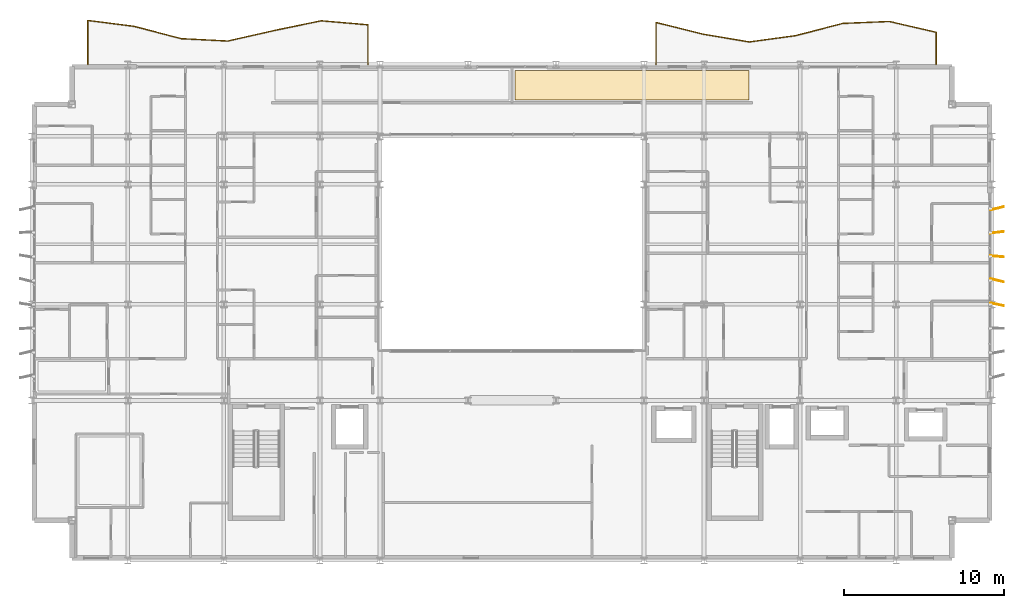
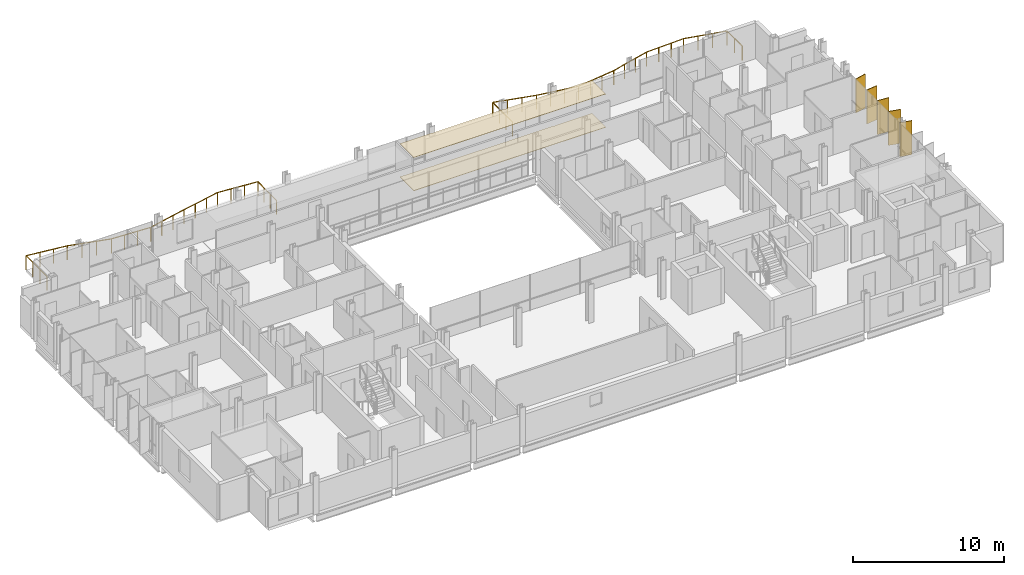
# One storey, part 39 of 39: 5 shading devices, 2 coverings, 2 railings.
"""IFC4 building model written with IfcOpenShell, lengths in metres."""

from ifc_helpers import new_model, si_unit, direction, frame, origin, origin_2d, place, context, subcontext, project, spatial, polyline, rectangle, circle, outline, extrude, material, layer, layer_set, type_object, element, save


model = new_model("IFC4")

# Units and contexts
model_context = context("Model", 3, precision=1e-05, world=origin(), true_north=direction((0.0, 1.0)))
body_context = subcontext(model_context, "Body", "Model", "MODEL_VIEW")
ifc_project = project(units=[si_unit("LENGTHUNIT", "METRE"), si_unit("AREAUNIT", "SQUARE_METRE"), si_unit("VOLUMEUNIT", "CUBIC_METRE"), si_unit("PLANEANGLEUNIT", "RADIAN"), si_unit("MASSUNIT", "GRAM", prefix="KILO")], contexts=[model_context])

# Site, building, storey
site_placement = place(None, origin())
site = spatial("IfcSite", under=ifc_project, at=site_placement, CompositionType="ELEMENT")
building_placement = place(site_placement, origin())
building = spatial("IfcBuilding", under=site, at=building_placement, Name="Brevholm Reach", CompositionType="ELEMENT")
storey_placement = place(building_placement, frame((0.0, 0.0, 103.5)))
storey = spatial("IfcBuildingStorey", under=building, at=storey_placement, Name="L30", CompositionType="ELEMENT", Elevation=103.5)

# Coverings
ifc_material_1 = material(Name="Moisture-Resistant Skimmed Gypsum Plasterboard Ceiling", Category="gypsum")
ifc_layer_1 = layer(ifc_material_1, 0.030029296875)
ifc_layer_set_1 = layer_set([ifc_layer_1], Name="Moisture-Resistant Skimmed Gypsum Plasterboard Ceiling")
covering_type_1 = type_object("IfcCoveringType", Name="COV-CLG-GYP", PredefinedType="CEILING", material=ifc_layer_set_1)
covering_1_placement = place(storey_placement, frame((0.0, 0.0, 2.679931640625)))
element("IfcCovering", 1, at=covering_1_placement, inside=storey, type_object=covering_type_1, Name="L30 Suspended Ceiling L30-78", PredefinedType="CEILING", context=body_context, shape_type="SweptSolid", body=[
    extrude(outline(polyline([(32.626220703125, 30.6201171875), (32.6337890625, 30.6171875), (32.672119140625, 30.607666015625), (32.710693359375, 30.601806640625), (32.75, 30.60009765625), (32.789306640625, 30.601806640625), (32.827880859375, 30.607666015625), (32.8662109375, 30.6171875), (32.873779296875, 30.6201171875), (38.126220703125, 30.6201171875), (38.1337890625, 30.6171875), (38.172119140625, 30.607666015625), (38.210693359375, 30.601806640625), (38.25, 30.60009765625), (38.289306640625, 30.601806640625), (38.327880859375, 30.607666015625), (38.3662109375, 30.6171875), (38.373779296875, 30.6201171875), (41.876220703125, 30.6201171875), (41.8837890625, 30.6171875), (41.922119140625, 30.607666015625), (41.960693359375, 30.601806640625), (42.0, 30.60009765625), (42.039306640625, 30.601806640625), (42.077880859375, 30.607666015625), (42.1162109375, 30.6171875), (42.123779296875, 30.6201171875), (44.820068359375, 30.6201171875), (44.820068359375, 28.783935546875), (30.18408203125, 28.783935546875), (30.18408203125, 30.6201171875), (32.626220703125, 30.6201171875)])), origin(), (0.0, 0.0, 1.0), 0.030029296875),
])
ifc_material_2 = material(Name="Honed Portland-Aggregate Resin Terrazzo Flooring", Category="concrete")
ifc_layer_2 = layer(ifc_material_2, 0.031982421875)
ifc_layer_set_2 = layer_set([ifc_layer_2], Name="Honed Portland-Aggregate Resin Terrazzo Flooring")
covering_type_2 = type_object("IfcCoveringType", Name="COV-FLR-TRZ", PredefinedType="FLOORING", material=ifc_layer_set_2)
covering_2_placement = place(storey_placement, origin())
element("IfcCovering", 2, at=covering_2_placement, inside=storey, type_object=covering_type_2, Name="L30 Floor Finish L30-78", PredefinedType="FLOORING", context=body_context, shape_type="SweptSolid", body=[
    extrude(outline(polyline([(32.626220703125, 30.6201171875), (32.6337890625, 30.6171875), (32.672119140625, 30.607666015625), (32.710693359375, 30.601806640625), (32.75, 30.60009765625), (32.789306640625, 30.601806640625), (32.827880859375, 30.607666015625), (32.8662109375, 30.6171875), (32.873779296875, 30.6201171875), (38.126220703125, 30.6201171875), (38.1337890625, 30.6171875), (38.172119140625, 30.607666015625), (38.210693359375, 30.601806640625), (38.25, 30.60009765625), (38.289306640625, 30.601806640625), (38.327880859375, 30.607666015625), (38.3662109375, 30.6171875), (38.373779296875, 30.6201171875), (41.876220703125, 30.6201171875), (41.8837890625, 30.6171875), (41.922119140625, 30.607666015625), (41.960693359375, 30.601806640625), (42.0, 30.60009765625), (42.039306640625, 30.601806640625), (42.077880859375, 30.607666015625), (42.1162109375, 30.6171875), (42.123779296875, 30.6201171875), (44.820068359375, 30.6201171875), (44.820068359375, 28.783935546875), (30.18408203125, 28.783935546875), (30.18408203125, 30.6201171875), (32.626220703125, 30.6201171875)])), origin(), (0.0, 0.0, 1.0), 0.031982421875),
])

# Railings
ifc_material_3 = material(Name="Brushed Stainless Steel EN 1.4401 and Laminated Glass", Category="steel")
railing_type = type_object("IfcRailingType", Name="RAL-BALC-1150", PredefinedType="BALUSTRADE", material=ifc_material_3)
railing_1_placement = place(storey_placement, frame((56.5, 31.0, 0.0)))
element("IfcRailing", 3, at=railing_1_placement, inside=storey, type_object=railing_type, Name="L30 Guard Balustrade RAL-L30-BAL-NE", PredefinedType="BALUSTRADE", context=body_context, shape_type="SweptSolid", body=[
    extrude(circle(Radius=0.02392578125, at=origin_2d()), frame((0.0, 0.0, 1.1259765625), z_axis=(0.0, 1.0, 0.0), x_axis=(-1.0, 0.0, 0.0)), (0.0, 0.0, 1.0), 2.00439453125),
    extrude(circle(Radius=0.02392578125, at=origin_2d()), frame((0.0, 2.00439453125, 1.1259765625), z_axis=(-0.974086615793, 0.226175296912, 0.0), x_axis=(-0.226175296912, -0.974086615793, 0.0)), (0.0, 0.0, 1.0), 2.994384765625),
    extrude(circle(Radius=0.02392578125, at=origin_2d()), frame((-2.916748046875, 2.681640625, 1.1259765625), z_axis=(-0.999139150441, -0.041484431493, 0.0), x_axis=(0.041484431493, -0.999139150441, 0.0)), (0.0, 0.0, 1.0), 2.9189453125),
    extrude(circle(Radius=0.02392578125, at=origin_2d()), frame((-5.833251953125, 2.560546875, 1.1259765625), z_axis=(-0.967688627029, -0.252148212601, 0.0), x_axis=(0.252148212601, -0.967688627029, 0.0)), (0.0, 0.0, 1.0), 3.01416015625),
    extrude(circle(Radius=0.02392578125, at=origin_2d()), frame((-8.75, 1.800537109375, 1.1259765625), z_axis=(-0.990776091279, -0.135509176626, 0.0), x_axis=(0.135509176626, -0.990776091279, 0.0)), (0.0, 0.0, 1.0), 2.94384765625),
    extrude(circle(Radius=0.02392578125, at=origin_2d()), frame((-11.666748046875, 1.401611328125, 1.1259765625), z_axis=(-0.986326897089, 0.164800643445, 0.0), x_axis=(-0.164800643445, -0.986326897089, 0.0)), (0.0, 0.0, 1.0), 2.95703125),
    extrude(circle(Radius=0.02392578125, at=origin_2d()), frame((-14.583251953125, 1.888916015625, 1.1259765625), z_axis=(-0.969908046993, 0.243471518618, 0.0), x_axis=(-0.243471518618, -0.969908046993, 0.0)), (0.0, 0.0, 1.0), 3.00732421875),
    extrude(circle(Radius=0.02392578125, at=origin_2d()), frame((-17.5, 2.62109375, 1.1259765625), z_axis=(0.0, -1.0, 0.0), x_axis=(1.0, 0.0, 0.0)), (0.0, 0.0, 1.0), 2.62109375),
    extrude(circle(Radius=0.02099609375, at=origin_2d()), origin(), (0.0, 0.0, 1.0), 1.101806640625),
    extrude(circle(Radius=0.02099609375, at=origin_2d()), frame((0.0, 1.002197265625, 0.0)), (0.0, 0.0, 1.0), 1.101806640625),
    extrude(circle(Radius=0.02099609375, at=origin_2d()), frame((0.0, 2.00439453125, 0.0)), (0.0, 0.0, 1.0), 1.101806640625),
    extrude(circle(Radius=0.02099609375, at=origin_2d()), frame((-0.97216796875, 2.230224609375, 0.0)), (0.0, 0.0, 1.0), 1.101806640625),
    extrude(circle(Radius=0.02099609375, at=origin_2d()), frame((-1.944580078125, 2.455810546875, 0.0)), (0.0, 0.0, 1.0), 1.101806640625),
    extrude(circle(Radius=0.02099609375, at=origin_2d()), frame((-2.916748046875, 2.681640625, 0.0)), (0.0, 0.0, 1.0), 1.101806640625),
    extrude(circle(Radius=0.02099609375, at=origin_2d()), frame((-3.888916015625, 2.641357421875, 0.0)), (0.0, 0.0, 1.0), 1.101806640625),
    extrude(circle(Radius=0.02099609375, at=origin_2d()), frame((-4.861083984375, 2.600830078125, 0.0)), (0.0, 0.0, 1.0), 1.101806640625),
    extrude(circle(Radius=0.02099609375, at=origin_2d()), frame((-5.833251953125, 2.560546875, 0.0)), (0.0, 0.0, 1.0), 1.101806640625),
    extrude(circle(Radius=0.02099609375, at=origin_2d()), frame((-6.805419921875, 2.30712890625, 0.0)), (0.0, 0.0, 1.0), 1.101806640625),
    extrude(circle(Radius=0.02099609375, at=origin_2d()), frame((-7.77783203125, 2.053955078125, 0.0)), (0.0, 0.0, 1.0), 1.101806640625),
    extrude(circle(Radius=0.02099609375, at=origin_2d()), frame((-8.75, 1.800537109375, 0.0)), (0.0, 0.0, 1.0), 1.101806640625),
    extrude(circle(Radius=0.02099609375, at=origin_2d()), frame((-9.72216796875, 1.66748046875, 0.0)), (0.0, 0.0, 1.0), 1.101806640625),
    extrude(circle(Radius=0.02099609375, at=origin_2d()), frame((-10.694580078125, 1.53466796875, 0.0)), (0.0, 0.0, 1.0), 1.101806640625),
    extrude(circle(Radius=0.02099609375, at=origin_2d()), frame((-11.666748046875, 1.401611328125, 0.0)), (0.0, 0.0, 1.0), 1.101806640625),
    extrude(circle(Radius=0.02099609375, at=origin_2d()), frame((-12.638916015625, 1.56396484375, 0.0)), (0.0, 0.0, 1.0), 1.101806640625),
    extrude(circle(Radius=0.02099609375, at=origin_2d()), frame((-13.611083984375, 1.7265625, 0.0)), (0.0, 0.0, 1.0), 1.101806640625),
    extrude(circle(Radius=0.02099609375, at=origin_2d()), frame((-14.583251953125, 1.888916015625, 0.0)), (0.0, 0.0, 1.0), 1.101806640625),
    extrude(circle(Radius=0.02099609375, at=origin_2d()), frame((-15.555419921875, 2.133056640625, 0.0)), (0.0, 0.0, 1.0), 1.101806640625),
    extrude(circle(Radius=0.02099609375, at=origin_2d()), frame((-16.52783203125, 2.376953125, 0.0)), (0.0, 0.0, 1.0), 1.101806640625),
    extrude(circle(Radius=0.02099609375, at=origin_2d()), frame((-17.5, 2.62109375, 0.0)), (0.0, 0.0, 1.0), 1.101806640625),
    extrude(circle(Radius=0.02099609375, at=origin_2d()), frame((-17.5, 1.747314453125, 0.0)), (0.0, 0.0, 1.0), 1.101806640625),
    extrude(circle(Radius=0.02099609375, at=origin_2d()), frame((-17.5, 0.873779296875, 0.0)), (0.0, 0.0, 1.0), 1.101806640625),
    extrude(circle(Radius=0.02099609375, at=origin_2d()), frame((-17.5, 0.0, 0.0)), (0.0, 0.0, 1.0), 1.101806640625),
])
railing_2_placement = place(storey_placement, frame((21.0, 31.0, 0.0)))
element("IfcRailing", 4, at=railing_2_placement, inside=storey, type_object=railing_type, Name="L30 Guard Balustrade RAL-L30-BAL-NW", PredefinedType="BALUSTRADE", context=body_context, shape_type="SweptSolid", body=[
    extrude(circle(Radius=0.02392578125, at=origin_2d()), frame((0.0, 0.0, 1.1259765625), z_axis=(0.0, 1.0, 0.0), x_axis=(-1.0, 0.0, 0.0)), (0.0, 0.0, 1.0), 2.4716796875),
    extrude(circle(Radius=0.02392578125, at=origin_2d()), frame((0.0, 2.4716796875, 1.1259765625), z_axis=(-0.996282713287, 0.086143805376, 0.0), x_axis=(-0.086143805376, -0.996282713287, 0.0)), (0.0, 0.0, 1.0), 2.927734375),
    extrude(circle(Radius=0.02392578125, at=origin_2d()), frame((-2.916748046875, 2.723876953125, 1.1259765625), z_axis=(-0.979367411888, -0.202087784221, 0.0), x_axis=(0.202087784221, -0.979367411888, 0.0)), (0.0, 0.0, 1.0), 2.97802734375),
    extrude(circle(Radius=0.02392578125, at=origin_2d()), frame((-5.833251953125, 2.1220703125, 1.1259765625), z_axis=(-0.975083925705, -0.221836286102, 0.0), x_axis=(0.221836286102, -0.975083925705, 0.0)), (0.0, 0.0, 1.0), 2.9912109375),
    extrude(circle(Radius=0.02392578125, at=origin_2d()), frame((-8.75, 1.45849609375, 1.1259765625), z_axis=(-0.998720239463, 0.050575520622, 0.0), x_axis=(-0.050575520622, -0.998720239463, 0.0)), (0.0, 0.0, 1.0), 2.92041015625),
    extrude(circle(Radius=0.02392578125, at=origin_2d()), frame((-11.666748046875, 1.606201171875, 1.1259765625), z_axis=(-0.967306983138, 0.25360836022, 0.0), x_axis=(-0.25360836022, -0.967306983138, 0.0)), (0.0, 0.0, 1.0), 3.01513671875),
    extrude(circle(Radius=0.02392578125, at=origin_2d()), frame((-14.583251953125, 2.370849609375, 1.1259765625), z_axis=(-0.991815212116, 0.12768157665, 0.0), x_axis=(-0.12768157665, -0.991815212116, 0.0)), (0.0, 0.0, 1.0), 2.94091796875),
    extrude(circle(Radius=0.02392578125, at=origin_2d()), frame((-17.5, 2.746337890625, 1.1259765625), z_axis=(0.0, -1.0, 0.0), x_axis=(1.0, 0.0, 0.0)), (0.0, 0.0, 1.0), 2.746337890625),
    extrude(circle(Radius=0.02099609375, at=origin_2d()), origin(), (0.0, 0.0, 1.0), 1.101806640625),
    extrude(circle(Radius=0.02099609375, at=origin_2d()), frame((0.0, 0.823974609375, 0.0)), (0.0, 0.0, 1.0), 1.101806640625),
    extrude(circle(Radius=0.02099609375, at=origin_2d()), frame((0.0, 1.647705078125, 0.0)), (0.0, 0.0, 1.0), 1.101806640625),
    extrude(circle(Radius=0.02099609375, at=origin_2d()), frame((0.0, 2.4716796875, 0.0)), (0.0, 0.0, 1.0), 1.101806640625),
    extrude(circle(Radius=0.02099609375, at=origin_2d()), frame((-0.97216796875, 2.5556640625, 0.0)), (0.0, 0.0, 1.0), 1.101806640625),
    extrude(circle(Radius=0.02099609375, at=origin_2d()), frame((-1.944580078125, 2.639892578125, 0.0)), (0.0, 0.0, 1.0), 1.101806640625),
    extrude(circle(Radius=0.02099609375, at=origin_2d()), frame((-2.916748046875, 2.723876953125, 0.0)), (0.0, 0.0, 1.0), 1.101806640625),
    extrude(circle(Radius=0.02099609375, at=origin_2d()), frame((-3.888916015625, 2.523193359375, 0.0)), (0.0, 0.0, 1.0), 1.101806640625),
    extrude(circle(Radius=0.02099609375, at=origin_2d()), frame((-4.861083984375, 2.32275390625, 0.0)), (0.0, 0.0, 1.0), 1.101806640625),
    extrude(circle(Radius=0.02099609375, at=origin_2d()), frame((-5.833251953125, 2.1220703125, 0.0)), (0.0, 0.0, 1.0), 1.101806640625),
    extrude(circle(Radius=0.02099609375, at=origin_2d()), frame((-6.805419921875, 1.90087890625, 0.0)), (0.0, 0.0, 1.0), 1.101806640625),
    extrude(circle(Radius=0.02099609375, at=origin_2d()), frame((-7.77783203125, 1.6796875, 0.0)), (0.0, 0.0, 1.0), 1.101806640625),
    extrude(circle(Radius=0.02099609375, at=origin_2d()), frame((-8.75, 1.45849609375, 0.0)), (0.0, 0.0, 1.0), 1.101806640625),
    extrude(circle(Radius=0.02099609375, at=origin_2d()), frame((-9.72216796875, 1.5078125, 0.0)), (0.0, 0.0, 1.0), 1.101806640625),
    extrude(circle(Radius=0.02099609375, at=origin_2d()), frame((-10.694580078125, 1.556884765625, 0.0)), (0.0, 0.0, 1.0), 1.101806640625),
    extrude(circle(Radius=0.02099609375, at=origin_2d()), frame((-11.666748046875, 1.606201171875, 0.0)), (0.0, 0.0, 1.0), 1.101806640625),
    extrude(circle(Radius=0.02099609375, at=origin_2d()), frame((-12.638916015625, 1.861083984375, 0.0)), (0.0, 0.0, 1.0), 1.101806640625),
    extrude(circle(Radius=0.02099609375, at=origin_2d()), frame((-13.611083984375, 2.115966796875, 0.0)), (0.0, 0.0, 1.0), 1.101806640625),
    extrude(circle(Radius=0.02099609375, at=origin_2d()), frame((-14.583251953125, 2.370849609375, 0.0)), (0.0, 0.0, 1.0), 1.101806640625),
    extrude(circle(Radius=0.02099609375, at=origin_2d()), frame((-15.555419921875, 2.49609375, 0.0)), (0.0, 0.0, 1.0), 1.101806640625),
    extrude(circle(Radius=0.02099609375, at=origin_2d()), frame((-16.52783203125, 2.62109375, 0.0)), (0.0, 0.0, 1.0), 1.101806640625),
    extrude(circle(Radius=0.02099609375, at=origin_2d()), frame((-17.5, 2.746337890625, 0.0)), (0.0, 0.0, 1.0), 1.101806640625),
    extrude(circle(Radius=0.02099609375, at=origin_2d()), frame((-17.5, 1.830810546875, 0.0)), (0.0, 0.0, 1.0), 1.101806640625),
    extrude(circle(Radius=0.02099609375, at=origin_2d()), frame((-17.5, 0.91552734375, 0.0)), (0.0, 0.0, 1.0), 1.101806640625),
    extrude(circle(Radius=0.02099609375, at=origin_2d()), frame((-17.5, 0.0, 0.0)), (0.0, 0.0, 1.0), 1.101806640625),
])

# Shading devices
ifc_material_4 = material(Name="Perforated Champagne-Bronze Anodised Aluminium", Category="aluminium")
ifc_layer_3 = layer(ifc_material_4, 0.054931640625)
ifc_layer_set_3 = layer_set([ifc_layer_3], Name="Perforated Champagne-Bronze Anodised Aluminium")
shading_device_type = type_object("IfcShadingDeviceType", Name="SHD-FIN-850", PredefinedType="USERDEFINED", material=ifc_layer_set_3)
for number, where, z_axis, x_axis, name in (
    (5, (60.31494140625, 16.0, 0.06982421875), (0.0, 0.0, 1.0), (0.979578758922, -0.201060824302, 0.0), "L30 Perforated Solar Screen Fin 4"),
    (6, (60.31494140625, 17.5, 0.06982421875), (0.0, 0.0, 1.0), (0.972933398637, -0.231085702322, 0.0), "L30 Perforated Solar Screen Fin 5"),
    (7, (60.31494140625, 19.0, 0.06982421875), (0.0, 0.0, 1.0), (0.996099803274, -0.088233677913, 0.0), "L30 Perforated Solar Screen Fin 6"),
    (8, (60.31494140625, 20.5, 0.06982421875), (0.0, 0.0, 1.0), (0.992441564643, 0.122718135453, 0.0), "L30 Perforated Solar Screen Fin 7"),
    (9, (60.31494140625, 22.0, 0.06982421875), (0.0, 0.0, 1.0), (0.970917393886, 0.239414732734, 0.0), "L30 Perforated Solar Screen Fin 8"),
):
    element("IfcShadingDevice", number, at=place(storey_placement, frame(where, z_axis=z_axis, x_axis=x_axis)), inside=storey, type_object=shading_device_type, Name=name, ObjectType="SCREEN", PredefinedType="USERDEFINED", context=body_context, shape_type="SweptSolid", body=[
        extrude(rectangle(XDim=0.85009765625, YDim=0.054931640625, at=origin_2d()), origin(), (0.0, 0.0, 1.0), 2.739990234375),
    ])

save(model, "model.ifc")
